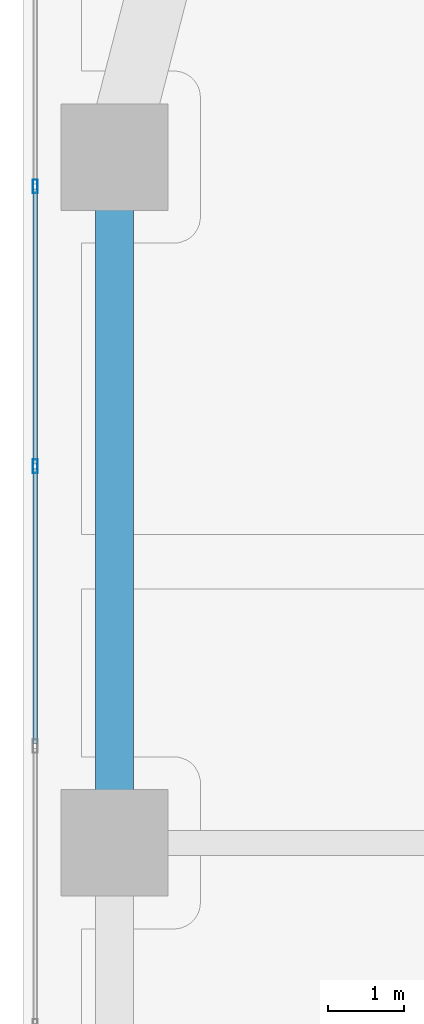
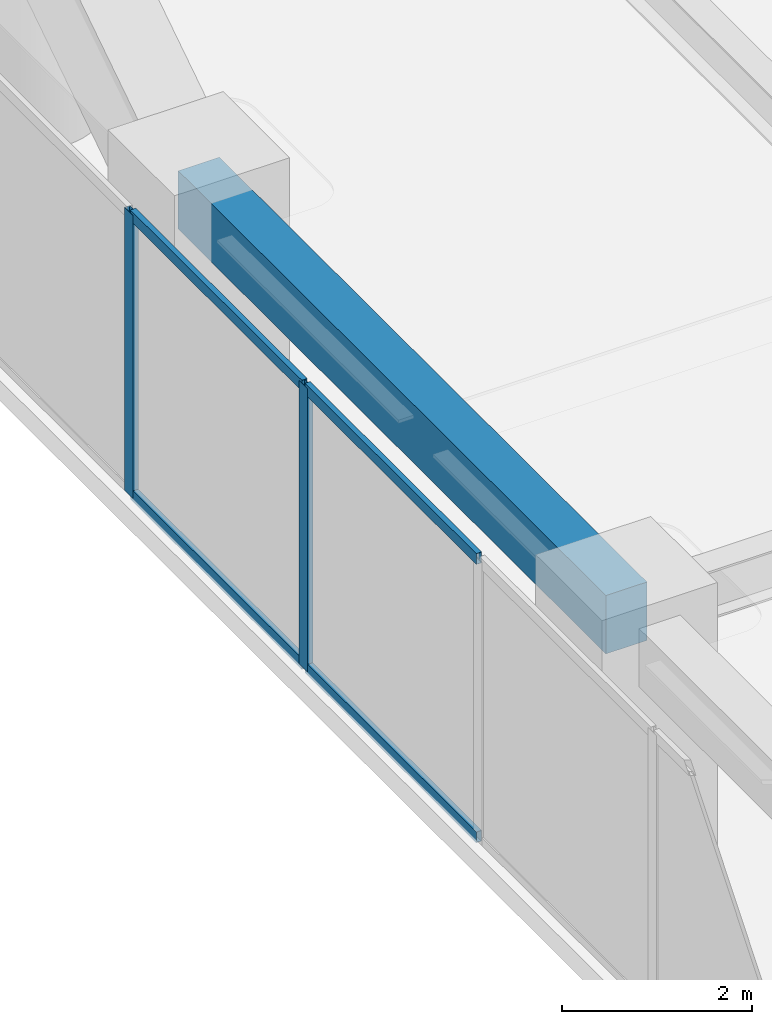
# One storey, part 9 of 24: 6 members, 1 beam, 1 element without a shape of its own.
"""IFC4 building model written with IfcOpenShell, lengths in metres."""

from ifc_helpers import new_model, si_unit, direction, frame, origin, origin_2d, place, context, subcontext, project, spatial, rectangle, hollow_rectangle, extrude, material, layer, layer_set, material_profile, profile_set, type_object, element, aggregate, save


model = new_model("IFC4")

# Units and contexts
model_context = context("Model", 3, precision=1e-05, world=origin(), true_north=direction((0.0, 1.0)))
body_context = subcontext(model_context, "Body", "Model", "MODEL_VIEW")
ifc_project = project(units=[si_unit("LENGTHUNIT", "METRE"), si_unit("AREAUNIT", "SQUARE_METRE"), si_unit("VOLUMEUNIT", "CUBIC_METRE"), si_unit("PLANEANGLEUNIT", "RADIAN"), si_unit("MASSUNIT", "GRAM", prefix="KILO")], contexts=[model_context])

# Site, building, storey
site_placement = place(None, origin())
site = spatial("IfcSite", under=ifc_project, at=site_placement, CompositionType="ELEMENT")
building_placement = place(site_placement, origin())
building = spatial("IfcBuilding", under=site, at=building_placement, Name="Kiyonajd Concourse Tower", CompositionType="ELEMENT")
storey_placement = place(building_placement, frame((0.0, 0.0, 101.39990234375)))
storey = spatial("IfcBuildingStorey", under=building, at=storey_placement, Name="L26", CompositionType="ELEMENT", Elevation=101.39990234375)

# Beam
ifc_material_1 = material(Name="Precast concrete C50/60", Category="concrete")
ifc_material_profile_1 = material_profile(ifc_material_1, rectangle(XDim=0.5, YDim=0.75, at=origin_2d()), Name="RCBM-500x750")
ifc_profile_set_1 = profile_set([ifc_material_profile_1], Name="Precast concrete C50/60")
beam_type = type_object("IfcBeamType", Name="BM-SPAN-RC", PredefinedType="SPANDREL", material=ifc_profile_set_1)
beam_placement = place(storey_placement, frame((19.199951171875, 53.39990234375, 3.26513671875), z_axis=(0.0, -1.0, 0.0), x_axis=(1.0, 0.0, 0.0)))
element("IfcBeam", 1, at=beam_placement, inside=storey, type_object=beam_type, Name="L26 Perimeter Bundled Tube Spandrel", PredefinedType="SPANDREL", context=body_context, shape_type="SweptSolid", body=[
    extrude(rectangle(XDim=0.5, YDim=0.75, at=origin_2d()), origin(), (0.0, 0.0, 1.0), 9.0),
])

# Curtain wall, members
ifc_material_2 = material(Name="Thermally Broken Anodised Aluminium", Category="aluminium")
ifc_layer = layer(ifc_material_2, 0.179931640625)
ifc_layer_set = layer_set([ifc_layer], Name="Thermally Broken Anodised Aluminium")
curtain_wall_type = type_object("IfcCurtainWallType", Name="CW-SYS-03", PredefinedType="NOTDEFINED", material=ifc_layer_set)
curtain_wall_placement = place(storey_placement, origin())
curtain_wall = element("IfcCurtainWall", 2, at=curtain_wall_placement, inside=storey, type_object=curtain_wall_type, Name="L26 Unitised Curtain Wall CW3", PredefinedType="NOTDEFINED")
ifc_material_profile_2 = material_profile(ifc_material_2, hollow_rectangle(XDim=0.06494140625, YDim=0.179931640625, WallThickness=0.00390625, at=origin_2d()), Name="MULL-65x180")
ifc_profile_set_2 = profile_set([ifc_material_profile_2], Name="Thermally Broken Anodised Aluminium")
member_type_1 = type_object("IfcMemberType", Name="MB-CW-MULL1", PredefinedType="MULLION", material=ifc_profile_set_2)
member_1_placement = place(storey_placement, frame((18.159912109375, 49.342529296875, 0.0), z_axis=(0.0, 0.0, 1.0), x_axis=(-1.0, 0.0, 0.0)))
member_1 = element("IfcMember", 3, at=member_1_placement, type_object=member_type_1, Name="CW3 mullion 5", PredefinedType="MULLION", context=body_context, shape_type="SweptSolid", body=[
    extrude(hollow_rectangle(XDim=0.06494140625, YDim=0.179931640625, WallThickness=0.00390625, at=origin_2d()), origin(), (0.0, 0.0, 1.0), 3.64013671875),
])
member_2_placement = place(storey_placement, frame((18.159912109375, 53.015869140625, 0.0), z_axis=(0.0, 0.0, 1.0), x_axis=(-1.0, 0.0, 0.0)))
member_2 = element("IfcMember", 4, at=member_2_placement, type_object=member_type_1, Name="CW3 mullion 6", PredefinedType="MULLION", context=body_context, shape_type="SweptSolid", body=[
    extrude(hollow_rectangle(XDim=0.06494140625, YDim=0.179931640625, WallThickness=0.00390625, at=origin_2d()), origin(), (0.0, 0.0, 1.0), 3.64013671875),
])
ifc_material_profile_3 = material_profile(ifc_material_2, hollow_rectangle(XDim=0.06494140625, YDim=0.139892578125, WallThickness=0.00390625, at=origin_2d()), Name="TRAN-65x140")
ifc_profile_set_3 = profile_set([ifc_material_profile_3], Name="Thermally Broken Anodised Aluminium")
member_type_2 = type_object("IfcMemberType", Name="MB-CW-TRAN1", PredefinedType="USERDEFINED", material=ifc_profile_set_3)
member_3_placement = place(storey_placement, frame((18.159912109375, 45.701904296875, 0.03271484375), z_axis=(0.0, 1.0, 0.0), x_axis=(-1.0, 0.0, 0.0)))
member_3 = element("IfcMember", 5, at=member_3_placement, type_object=member_type_2, Name="CW3 transom 4.1", ObjectType="TRANSOM", PredefinedType="USERDEFINED", context=body_context, shape_type="SweptSolid", body=[
    extrude(hollow_rectangle(XDim=0.06494140625, YDim=0.139892578125, WallThickness=0.00390625, at=origin_2d()), origin(), (0.0, 0.0, 1.0), 3.608154296875),
])
member_4_placement = place(storey_placement, frame((18.159912109375, 45.701904296875, 3.607666015625), z_axis=(0.0, 1.0, 0.0), x_axis=(-1.0, 0.0, 0.0)))
member_4 = element("IfcMember", 6, at=member_4_placement, type_object=member_type_2, Name="CW3 transom 4.2", ObjectType="TRANSOM", PredefinedType="USERDEFINED", context=body_context, shape_type="SweptSolid", body=[
    extrude(hollow_rectangle(XDim=0.06494140625, YDim=0.139892578125, WallThickness=0.00390625, at=origin_2d()), origin(), (0.0, 0.0, 1.0), 3.608154296875),
])
member_5_placement = place(storey_placement, frame((18.159912109375, 49.375, 0.03271484375), z_axis=(0.0, 1.0, 0.0), x_axis=(-1.0, 0.0, 0.0)))
member_5 = element("IfcMember", 7, at=member_5_placement, type_object=member_type_2, Name="CW3 transom 5.1", ObjectType="TRANSOM", PredefinedType="USERDEFINED", context=body_context, shape_type="SweptSolid", body=[
    extrude(hollow_rectangle(XDim=0.06494140625, YDim=0.139892578125, WallThickness=0.00390625, at=origin_2d()), origin(), (0.0, 0.0, 1.0), 3.608154296875),
])
member_6_placement = place(storey_placement, frame((18.159912109375, 49.375, 3.607666015625), z_axis=(0.0, 1.0, 0.0), x_axis=(-1.0, 0.0, 0.0)))
member_6 = element("IfcMember", 8, at=member_6_placement, type_object=member_type_2, Name="CW3 transom 5.2", ObjectType="TRANSOM", PredefinedType="USERDEFINED", context=body_context, shape_type="SweptSolid", body=[
    extrude(hollow_rectangle(XDim=0.06494140625, YDim=0.139892578125, WallThickness=0.00390625, at=origin_2d()), origin(), (0.0, 0.0, 1.0), 3.608154296875),
])
aggregate(curtain_wall, [member_1, member_2, member_3, member_4, member_5, member_6])

save(model, "model.ifc")
